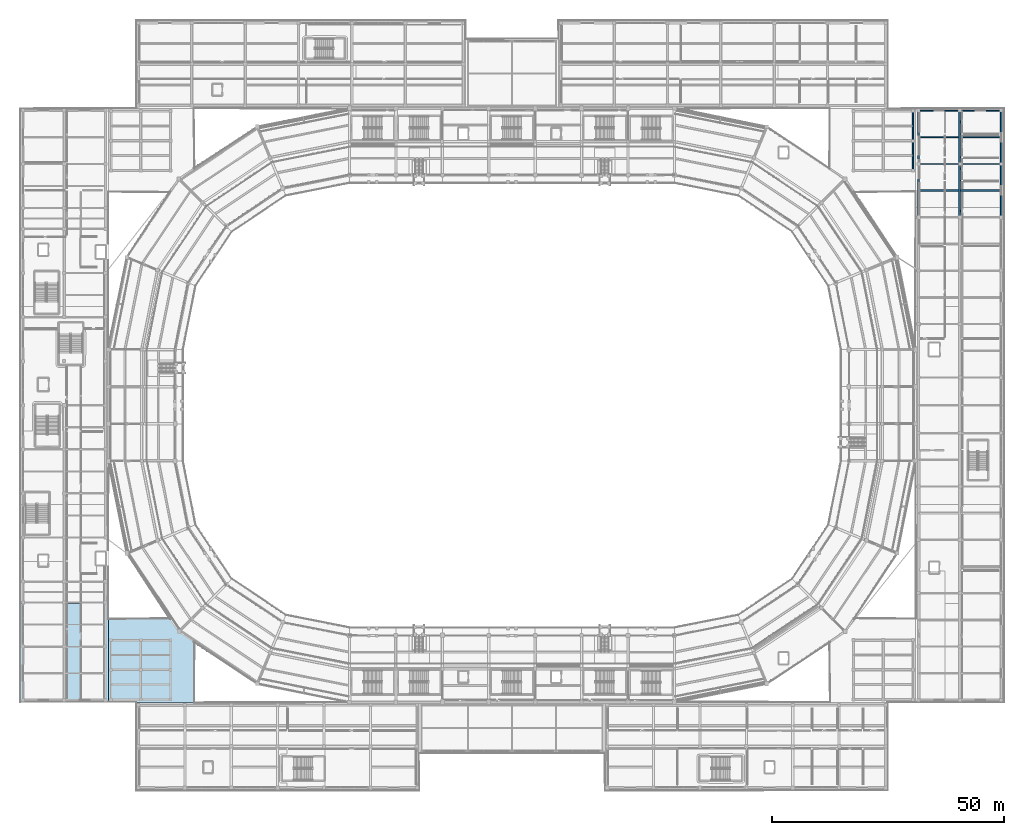
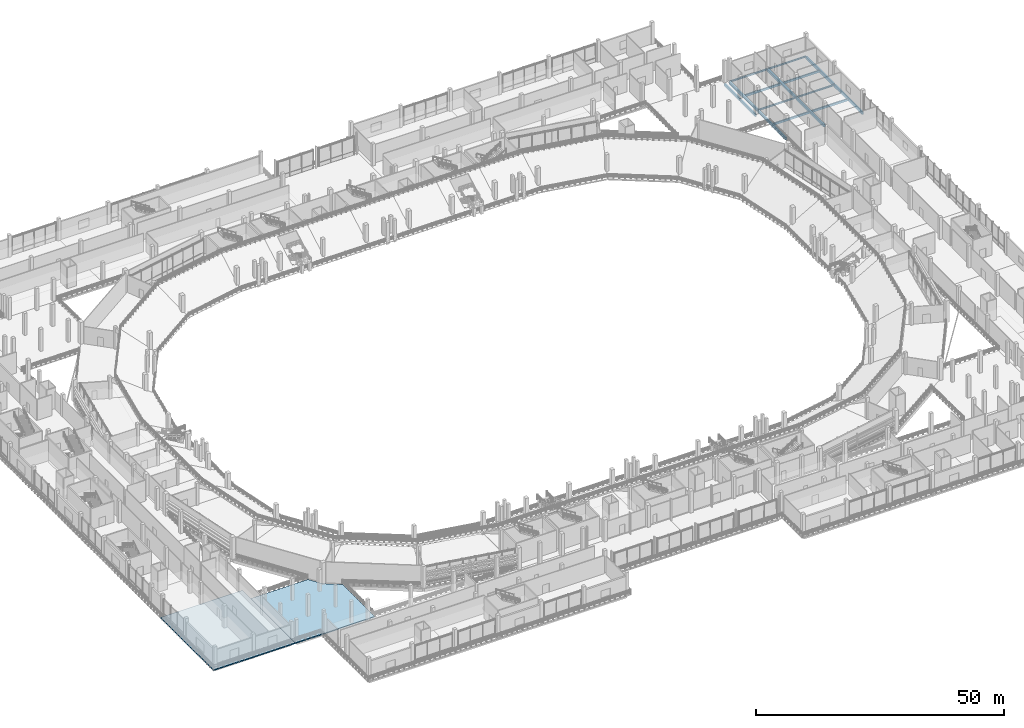
# One storey, part 61 of 127: 16 beams, 2 slabs.
"""IFC4 building model written with IfcOpenShell, lengths in metres."""

from ifc_helpers import new_model, si_unit, direction, frame, origin, origin_2d, place, context, subcontext, project, spatial, polyline, rectangle, i_section, outline, extrude, material, layer, layer_set, material_profile, profile_set, type_object, element, save


model = new_model("IFC4")

# Units and contexts
model_context = context("Model", 3, precision=1e-05, world=origin(), true_north=direction((0.0, 1.0)))
body_context = subcontext(model_context, "Body", "Model", "MODEL_VIEW")
ifc_project = project(units=[si_unit("LENGTHUNIT", "METRE"), si_unit("AREAUNIT", "SQUARE_METRE"), si_unit("VOLUMEUNIT", "CUBIC_METRE"), si_unit("PLANEANGLEUNIT", "RADIAN"), si_unit("MASSUNIT", "GRAM", prefix="KILO")], contexts=[model_context])

# Site, building, storey
site_placement = place(None, origin())
site = spatial("IfcSite", under=ifc_project, at=site_placement, CompositionType="ELEMENT")
building_placement = place(site_placement, origin())
building = spatial("IfcBuilding", under=site, at=building_placement, Name="Candeia Ridge Stadium", CompositionType="ELEMENT")
storey_placement = place(building_placement, frame((0.0, 0.0, 10.800048828125)))
storey = spatial("IfcBuildingStorey", under=building, at=storey_placement, Name="L02", CompositionType="ELEMENT", Elevation=10.800048828125)

# Beams
ifc_material_1 = material(Name="Concrete C40/50", Category="concrete")
ifc_material_profile_1 = material_profile(ifc_material_1, rectangle(XDim=0.300048828125, YDim=0.5, at=origin_2d()), Name="RC300x500", Category="concrete")
ifc_profile_set_1 = profile_set([ifc_material_profile_1], Name="Concrete C40/50")
beam_type_1 = type_object("IfcBeamType", Name="Floor Joist RC300x500", PredefinedType="JOIST", material=ifc_profile_set_1)
for number, where, z_axis, x_axis, name in (
    (1, (193.7744140625, 129.25, -0.510009765625), (1.0, 0.0, 0.0), (0.0, 1.0, 0.0), "Wing secondary joist BM-L02-1664"),
    (2, (193.7744140625, 140.75, -0.510009765625), (1.0, 0.0, 0.0), (0.0, 1.0, 0.0), "Wing secondary joist BM-L02-1666"),
    (3, (202.699462890625, 129.25, -0.510009765625), (1.0, 0.0, 0.0), (0.0, 1.0, 0.0), "Wing secondary joist BM-L02-1686"),
    (4, (202.699462890625, 140.75, -0.510009765625), (1.0, 0.0, 0.0), (0.0, 1.0, 0.0), "Wing secondary joist BM-L02-1688"),
):
    element("IfcBeam", number, at=place(storey_placement, frame(where, z_axis=z_axis, x_axis=x_axis)), inside=storey, type_object=beam_type_1, Name=name, PredefinedType="JOIST", context=body_context, shape_type="SweptSolid", body=[
        extrude(rectangle(XDim=0.300048828125, YDim=0.5, at=origin_2d()), origin(), (0.0, 0.0, 1.0), 8.526123046875),
    ])
ifc_material_profile_2 = material_profile(ifc_material_1, rectangle(XDim=0.39990234375, YDim=0.60009765625, at=origin_2d()), Name="RC400x600", Category="concrete")
ifc_profile_set_2 = profile_set([ifc_material_profile_2], Name="Concrete C40/50")
beam_type_2 = type_object("IfcBeamType", Name="Frame Girder RC400x600", PredefinedType="BEAM", material=ifc_profile_set_2)
for number, where, z_axis, x_axis, name in (
    (5, (202.5, 123.659912109375, -0.56005859375), (0.0, 1.0, 0.0), (-1.0, 0.0, 0.0), "Structural girder BM-L02-1634"),
    (6, (202.5, 135.159912109375, -0.56005859375), (0.0, 1.0, 0.0), (-1.0, 0.0, 0.0), "Structural girder BM-L02-1635"),
):
    element("IfcBeam", number, at=place(storey_placement, frame(where, z_axis=z_axis, x_axis=x_axis)), inside=storey, type_object=beam_type_2, Name=name, PredefinedType="BEAM", context=body_context, shape_type="SweptSolid", body=[
        extrude(rectangle(XDim=0.39990234375, YDim=0.60009765625, at=origin_2d()), origin(), (0.0, 0.0, 1.0), 11.18017578125),
    ])
ifc_material_profile_3 = material_profile(ifc_material_1, rectangle(XDim=0.35009765625, YDim=0.64990234375, at=origin_2d()), Name="RC350x650", Category="concrete")
ifc_profile_set_3 = profile_set([ifc_material_profile_3], Name="Concrete C40/50")
beam_type_3 = type_object("IfcBeamType", Name="Spandrel Beam RC350x650", PredefinedType="SPANDREL", material=ifc_profile_set_3)
for number, where, z_axis, x_axis, name in (
    (7, (193.60009765625, 123.659912109375, -0.5849609375), (0.0, 1.0, 0.0), (-1.0, 0.0, 0.0), "Structural girder BM-L02-1623"),
    (8, (193.60009765625, 135.159912109375, -0.5849609375), (0.0, 1.0, 0.0), (-1.0, 0.0, 0.0), "Structural girder BM-L02-1624"),
    (9, (211.39990234375, 123.659912109375, -0.5849609375), (0.0, 1.0, 0.0), (-1.0, 0.0, 0.0), "Structural girder BM-L02-1645"),
    (10, (211.39990234375, 135.159912109375, -0.5849609375), (0.0, 1.0, 0.0), (-1.0, 0.0, 0.0), "Structural girder BM-L02-1646"),
):
    element("IfcBeam", number, at=place(storey_placement, frame(where, z_axis=z_axis, x_axis=x_axis)), inside=storey, type_object=beam_type_3, Name=name, PredefinedType="SPANDREL", context=body_context, shape_type="SweptSolid", body=[
        extrude(rectangle(XDim=0.35009765625, YDim=0.64990234375, at=origin_2d()), origin(), (0.0, 0.0, 1.0), 11.18017578125),
    ])
for number, where, z_axis, x_axis, name in (
    (11, (192.39990234375, 133.760009765625, -0.5849609375), (0.0, 1.0, 0.0), (-1.0, 0.0, 0.0), "Structural girder BM-L02-2266"),
    (12, (192.39990234375, 140.159912109375, -0.5849609375), (0.0, 1.0, 0.0), (-1.0, 0.0, 0.0), "Structural girder BM-L02-2267"),
):
    element("IfcBeam", number, at=place(storey_placement, frame(where, z_axis=z_axis, x_axis=x_axis)), inside=storey, type_object=beam_type_3, Name=name, PredefinedType="SPANDREL", context=body_context, shape_type="SweptSolid", body=[
        extrude(rectangle(XDim=0.35009765625, YDim=0.64990234375, at=origin_2d()), origin(), (0.0, 0.0, 1.0), 6.080078125),
    ])
ifc_material_2 = material(Name="Steel ASTM A572 Grade 50", Category="steel")
ifc_material_profile_4 = material_profile(ifc_material_2, i_section(OverallWidth=0.178955078125, OverallDepth=0.409912109375, WebThickness=0.0087890625, FlangeThickness=0.014404296875, FilletRadius=0.011962890625, at=origin_2d()), Name="W410x67", Category="steel")
ifc_profile_set_4 = profile_set([ifc_material_profile_4], Name="Steel ASTM A572 Grade 50")
beam_type_4 = type_object("IfcBeamType", Name="Warm-Up Hall Girder W410x67", PredefinedType="BEAM", material=ifc_profile_set_4)
for number, where, z_axis, x_axis, name in (
    (13, (193.64990234375, 135.0, -0.465087890625), (1.0, 0.0, 0.0), (0.0, 1.0, 0.0), "Structural girder BM-L02-1665"),
    (14, (193.64990234375, 146.5, -0.465087890625), (1.0, 0.0, 0.0), (0.0, 1.0, 0.0), "Structural girder BM-L02-1667"),
    (15, (202.550048828125, 135.0, -0.465087890625), (1.0, 0.0, 0.0), (0.0, 1.0, 0.0), "Structural girder BM-L02-1687"),
    (16, (202.550048828125, 146.5, -0.465087890625), (1.0, 0.0, 0.0), (0.0, 1.0, 0.0), "Structural girder BM-L02-1689"),
):
    element("IfcBeam", number, at=place(storey_placement, frame(where, z_axis=z_axis, x_axis=x_axis)), inside=storey, type_object=beam_type_4, Name=name, PredefinedType="BEAM", context=body_context, shape_type="SweptSolid", body=[
        extrude(i_section(OverallWidth=0.178955078125, OverallDepth=0.409912109375, WebThickness=0.0087890625, FlangeThickness=0.014404296875, FilletRadius=0.011962890625, at=origin_2d()), origin(), (0.0, 0.0, 1.0), 8.800048828125),
    ])

# Slabs
ifc_layer = layer(ifc_material_1, 0.25, Name="Concrete C40/50", Category="concrete")
ifc_layer_set = layer_set([ifc_layer], Name="Concrete C40/50")
slab_type = type_object("IfcSlabType", Name="Hospitality & Museum Slab 250", PredefinedType="FLOOR", material=ifc_layer_set)
slab_1_placement = place(storey_placement, frame((0.0, 0.0, -0.25)))
element("IfcSlab", 17, at=slab_1_placement, inside=storey, type_object=slab_type, Name="Wing floor slab west SLB-L02-0245", PredefinedType="FLOOR", context=body_context, shape_type="SweptSolid", body=[
    extrude(outline(polyline([(0.0, 19.0), (0.0, 40.333251953125), (19.0, 40.333251953125), (19.0, 19.0), (0.0, 19.0)])), origin(), (0.0, 0.0, 1.0), 0.25),
])
slab_2_placement = place(storey_placement, frame((0.0, 0.0, -0.25)))
element("IfcSlab", 18, at=slab_2_placement, inside=storey, type_object=slab_type, Name="Wing floor slab sp_sw SLB-L02-0273", PredefinedType="FLOOR", context=body_context, shape_type="SweptSolid", body=[
    extrude(outline(polyline([(19.0, 19.0), (19.0, 37.0), (32.373779296875, 37.0), (34.226318359375, 34.227783203125), (34.2265625, 34.227294921875), (34.226806640625, 34.226806640625), (34.227294921875, 34.2265625), (34.227783203125, 34.226318359375), (37.5, 32.039794921875), (37.5, 19.0), (19.0, 19.0)])), origin(), (0.0, 0.0, 1.0), 0.25),
])

save(model, "model.ifc")
